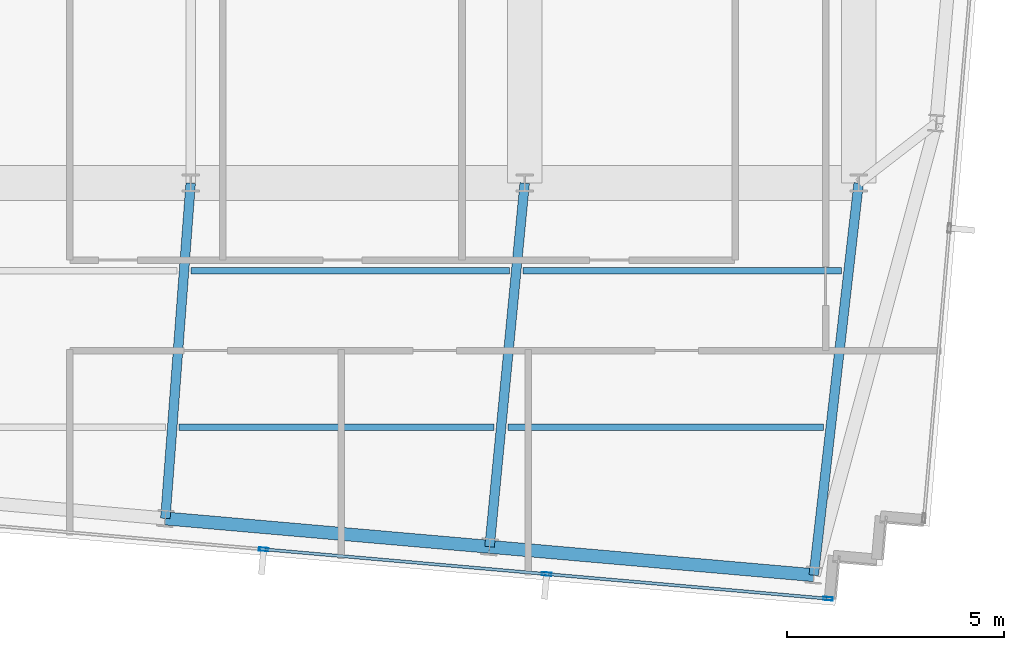
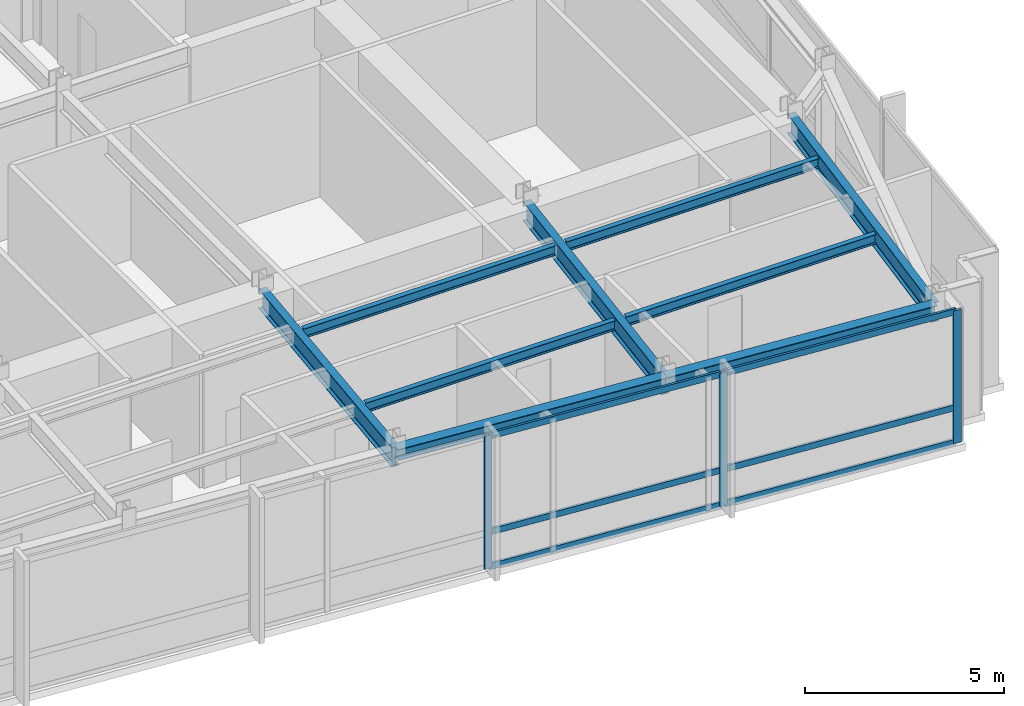
# One storey, part 10 of 25: 9 beams, 9 members, 1 element without a shape of its own.
"""IFC4 building model written with IfcOpenShell, lengths in metres."""

from ifc_helpers import new_model, si_unit, direction, frame, origin, origin_2d, place, context, subcontext, project, spatial, hollow_rectangle, i_section, extrude, material, material_profile, profile_set, type_object, element, aggregate, save


model = new_model("IFC4")

# Units and contexts
model_context = context("Model", 3, precision=1e-05, world=origin(), true_north=direction((0.0, 1.0)))
body_context = subcontext(model_context, "Body", "Model", "MODEL_VIEW")
ifc_project = project(units=[si_unit("LENGTHUNIT", "METRE"), si_unit("AREAUNIT", "SQUARE_METRE"), si_unit("VOLUMEUNIT", "CUBIC_METRE"), si_unit("PLANEANGLEUNIT", "RADIAN"), si_unit("MASSUNIT", "GRAM", prefix="KILO")], contexts=[model_context])

# Site, building, storey
site_placement = place(None, origin())
site = spatial("IfcSite", under=ifc_project, at=site_placement, CompositionType="ELEMENT")
building_placement = place(site_placement, origin())
building = spatial("IfcBuilding", under=site, at=building_placement, Name="Yelkora Congress Tower", CompositionType="ELEMENT")
storey_placement = place(building_placement, frame((0.0, 0.0, 299.89990234375)))
storey = spatial("IfcBuildingStorey", under=building, at=storey_placement, Name="L84", CompositionType="ELEMENT", Elevation=299.89990234375)

# Beams
ifc_material_1 = material(Name="Steel S355J2", Category="steel")
ifc_material_profile_1 = material_profile(ifc_material_1, i_section(OverallWidth=0.219970703125, OverallDepth=0.60009765625, WebThickness=0.011962890625, FlangeThickness=0.01904296875, FilletRadius=0.02392578125, at=origin_2d()), Name="IPE 600")
ifc_profile_set_1 = profile_set([ifc_material_profile_1], Name="Steel S355J2")
beam_type_1 = type_object("IfcBeamType", Name="BM-GIRD-IPE600", PredefinedType="BEAM", material=ifc_profile_set_1)
beam_1_placement = place(storey_placement, frame((37.8173828125, 17.489013671875, 3.780029296875), z_axis=(0.075329932006, 0.997158664077, 0.0), x_axis=(-0.997158664077, 0.075329932006, 0.0)))
element("IfcBeam", 1, at=beam_1_placement, inside=storey, type_object=beam_type_1, Name="L84 Primary Frame Girder S05", PredefinedType="BEAM", context=body_context, shape_type="SweptSolid", body=[
    extrude(i_section(OverallWidth=0.219970703125, OverallDepth=0.60009765625, WebThickness=0.011962890625, FlangeThickness=0.01904296875, FilletRadius=0.02392578125, at=origin_2d()), origin(), (0.0, 0.0, 1.0), 7.73291015625),
])
beam_2_placement = place(storey_placement, frame((45.2724609375, 16.836669921875, 3.780029296875), z_axis=(0.096119896563, 0.995369763196, 0.0), x_axis=(-0.995369763196, 0.096119896563, 0.0)))
element("IfcBeam", 2, at=beam_2_placement, inside=storey, type_object=beam_type_1, Name="L84 Primary Frame Girder S06", PredefinedType="BEAM", context=body_context, shape_type="SweptSolid", body=[
    extrude(i_section(OverallWidth=0.219970703125, OverallDepth=0.60009765625, WebThickness=0.011962890625, FlangeThickness=0.01904296875, FilletRadius=0.02392578125, at=origin_2d()), origin(), (0.0, 0.0, 1.0), 8.402099609375),
])
beam_3_placement = place(storey_placement, frame((52.727294921875, 16.1845703125, 3.780029296875), z_axis=(0.113806093355, 0.993502980929, 0.0), x_axis=(-0.993502980929, 0.113806093355, 0.0)))
element("IfcBeam", 3, at=beam_3_placement, inside=storey, type_object=beam_type_1, Name="L84 Primary Frame Girder S07", PredefinedType="BEAM", context=body_context, shape_type="SweptSolid", body=[
    extrude(i_section(OverallWidth=0.219970703125, OverallDepth=0.60009765625, WebThickness=0.011962890625, FlangeThickness=0.01904296875, FilletRadius=0.02392578125, at=origin_2d()), origin(), (0.0, 0.0, 1.0), 9.07421875),
])
ifc_material_profile_2 = material_profile(ifc_material_1, i_section(OverallWidth=0.14990234375, OverallDepth=0.300048828125, WebThickness=0.007080078125, FlangeThickness=0.0107421875, FilletRadius=0.014892578125, at=origin_2d()), Name="IPE 300")
ifc_profile_set_2 = profile_set([ifc_material_profile_2], Name="Steel S355J2")
beam_type_2 = type_object("IfcBeamType", Name="BM-JOIST-IPE300", PredefinedType="JOIST", material=ifc_profile_set_2)
beam_4_placement = place(storey_placement, frame((38.1357421875, 19.58447265625, 3.93017578125), z_axis=(1.0, 0.0, 0.0), x_axis=(0.0, 1.0, 0.0)))
element("IfcBeam", 4, at=beam_4_placement, inside=storey, type_object=beam_type_2, Name="L84 Composite Floor Joist 3", PredefinedType="JOIST", context=body_context, shape_type="SweptSolid", body=[
    extrude(i_section(OverallWidth=0.14990234375, OverallDepth=0.300048828125, WebThickness=0.007080078125, FlangeThickness=0.0107421875, FilletRadius=0.014892578125, at=origin_2d()), origin(), (0.0, 0.0, 1.0), 7.241943359375),
])
beam_5_placement = place(storey_placement, frame((45.69775390625, 19.58447265625, 3.93017578125), z_axis=(1.0, 0.0, 0.0), x_axis=(0.0, 1.0, 0.0)))
element("IfcBeam", 5, at=beam_5_placement, inside=storey, type_object=beam_type_2, Name="L84 Composite Floor Joist 4", PredefinedType="JOIST", context=body_context, shape_type="SweptSolid", body=[
    extrude(i_section(OverallWidth=0.14990234375, OverallDepth=0.300048828125, WebThickness=0.007080078125, FlangeThickness=0.0107421875, FilletRadius=0.014892578125, at=origin_2d()), origin(), (0.0, 0.0, 1.0), 7.259033203125),
])
beam_6_placement = place(storey_placement, frame((38.40771484375, 23.1845703125, 3.93017578125), z_axis=(1.0, 0.0, 0.0), x_axis=(0.0, 1.0, 0.0)))
element("IfcBeam", 6, at=beam_6_placement, inside=storey, type_object=beam_type_2, Name="L84 Composite Floor Joist 7", PredefinedType="JOIST", context=body_context, shape_type="SweptSolid", body=[
    extrude(i_section(OverallWidth=0.14990234375, OverallDepth=0.300048828125, WebThickness=0.007080078125, FlangeThickness=0.0107421875, FilletRadius=0.014892578125, at=origin_2d()), origin(), (0.0, 0.0, 1.0), 7.317626953125),
])
beam_7_placement = place(storey_placement, frame((46.04541015625, 23.1845703125, 3.93017578125), z_axis=(1.0, 0.0, 0.0), x_axis=(0.0, 1.0, 0.0)))
element("IfcBeam", 7, at=beam_7_placement, inside=storey, type_object=beam_type_2, Name="L84 Composite Floor Joist 8", PredefinedType="JOIST", context=body_context, shape_type="SweptSolid", body=[
    extrude(i_section(OverallWidth=0.14990234375, OverallDepth=0.300048828125, WebThickness=0.007080078125, FlangeThickness=0.0107421875, FilletRadius=0.014892578125, at=origin_2d()), origin(), (0.0, 0.0, 1.0), 7.32373046875),
])
ifc_material_profile_3 = material_profile(ifc_material_1, i_section(OverallWidth=0.300048828125, OverallDepth=0.340087890625, WebThickness=0.011962890625, FlangeThickness=0.021484375, FilletRadius=0.027099609375, at=origin_2d()), Name="HEB 340")
ifc_profile_set_3 = profile_set([ifc_material_profile_3], Name="Steel S355J2")
beam_type_3 = type_object("IfcBeamType", Name="BM-SPAN-HEB340", PredefinedType="SPANDREL", material=ifc_profile_set_3)
beam_8_placement = place(storey_placement, frame((37.8173828125, 17.489013671875, 3.91015625), z_axis=(0.996193434204, -0.08717018785, 0.0), x_axis=(0.08717018785, 0.996193434204, 0.0)))
element("IfcBeam", 8, at=beam_8_placement, inside=storey, type_object=beam_type_3, Name="L84 Perimeter Beam 5", PredefinedType="SPANDREL", context=body_context, shape_type="SweptSolid", body=[
    extrude(i_section(OverallWidth=0.300048828125, OverallDepth=0.340087890625, WebThickness=0.011962890625, FlangeThickness=0.021484375, FilletRadius=0.027099609375, at=origin_2d()), origin(), (0.0, 0.0, 1.0), 7.483642578125),
])
beam_9_placement = place(storey_placement, frame((45.2724609375, 16.836669921875, 3.91015625), z_axis=(0.99619601894, -0.087140644067, 0.0), x_axis=(0.087140644067, 0.99619601894, 0.0)))
element("IfcBeam", 9, at=beam_9_placement, inside=storey, type_object=beam_type_3, Name="L84 Perimeter Beam 6", PredefinedType="SPANDREL", context=body_context, shape_type="SweptSolid", body=[
    extrude(i_section(OverallWidth=0.300048828125, OverallDepth=0.340087890625, WebThickness=0.011962890625, FlangeThickness=0.021484375, FilletRadius=0.027099609375, at=origin_2d()), origin(), (0.0, 0.0, 1.0), 7.4833984375),
])

# Curtain wall, members
ifc_material_2 = material(Name="Anodised aluminium and insulated glass", Category="aluminium")
curtain_wall_type = type_object("IfcCurtainWallType", Name="CW-SYS-SKY", PredefinedType="NOTDEFINED", material=ifc_material_2)
curtain_wall_placement = place(storey_placement, origin())
curtain_wall = element("IfcCurtainWall", 10, at=curtain_wall_placement, inside=storey, type_object=curtain_wall_type, Name="L84 Unitised Curtain Wall 20", PredefinedType="NOTDEFINED")
ifc_material_3 = material(Name="Anodised aluminium 6063-T6", Category="aluminium")
ifc_material_profile_4 = material_profile(ifc_material_3, hollow_rectangle(XDim=0.074951171875, YDim=0.219970703125, WallThickness=0.0048828125, at=origin_2d()), Name="ALU 75x220x5")
ifc_profile_set_4 = profile_set([ifc_material_profile_4], Name="Anodised aluminium 6063-T6")
member_type_1 = type_object("IfcMemberType", Name="MEM-ML-SKY", PredefinedType="MULLION", material=ifc_profile_set_4)
member_1_placement = place(storey_placement, frame((53.0537109375, 15.64404296875, 0.0), z_axis=(0.0, 0.0, 1.0), x_axis=(-0.087156829793, -0.996194602987, 0.0)))
member_1 = element("IfcMember", 11, at=member_1_placement, type_object=member_type_1, Name="CW-SKY mullion 1", PredefinedType="MULLION", context=body_context, shape_type="SweptSolid", body=[
    extrude(hollow_rectangle(XDim=0.074951171875, YDim=0.219970703125, WallThickness=0.0048828125, at=origin_2d()), origin(), (0.0, 0.0, 1.0), 4.080078125),
])
member_2_placement = place(storey_placement, frame((46.58447265625, 16.2099609375, 0.0), z_axis=(0.0, 0.0, 1.0), x_axis=(-0.087156829793, -0.996194602987, 0.0)))
member_2 = element("IfcMember", 12, at=member_2_placement, type_object=member_type_1, Name="CW-SKY mullion 2", PredefinedType="MULLION", context=body_context, shape_type="SweptSolid", body=[
    extrude(hollow_rectangle(XDim=0.074951171875, YDim=0.219970703125, WallThickness=0.0048828125, at=origin_2d()), origin(), (0.0, 0.0, 1.0), 4.080078125),
])
member_3_placement = place(storey_placement, frame((40.077880859375, 16.779296875, 0.0), z_axis=(0.0, 0.0, 1.0), x_axis=(-0.087156829793, -0.996194602987, 0.0)))
member_3 = element("IfcMember", 13, at=member_3_placement, type_object=member_type_1, Name="CW-SKY mullion 3", PredefinedType="MULLION", context=body_context, shape_type="SweptSolid", body=[
    extrude(hollow_rectangle(XDim=0.074951171875, YDim=0.219970703125, WallThickness=0.0048828125, at=origin_2d()), origin(), (0.0, 0.0, 1.0), 4.080078125),
])
ifc_material_profile_5 = material_profile(ifc_material_3, hollow_rectangle(XDim=0.070068359375, YDim=0.18994140625, WallThickness=0.00390625, at=origin_2d()), Name="ALU 70x190x4")
ifc_profile_set_5 = profile_set([ifc_material_profile_5], Name="Anodised aluminium 6063-T6")
member_type_2 = type_object("IfcMemberType", Name="MEM-TR-SKY", PredefinedType="USERDEFINED", material=ifc_profile_set_5)
member_4_placement = place(storey_placement, frame((53.016357421875, 15.647216796875, 0.03515625), z_axis=(-0.996193056925, 0.087174499331, 0.0), x_axis=(-0.087174499331, -0.996193056925, 0.0)))
member_4 = element("IfcMember", 14, at=member_4_placement, type_object=member_type_2, Name="CW-SKY transom 1.1", ObjectType="TRANSOM", PredefinedType="USERDEFINED", context=body_context, shape_type="SweptSolid", body=[
    extrude(hollow_rectangle(XDim=0.070068359375, YDim=0.18994140625, WallThickness=0.00390625, at=origin_2d()), origin(), (0.0, 0.0, 1.0), 6.4189453125),
])
member_5_placement = place(storey_placement, frame((53.016357421875, 15.647216796875, 1.10009765625), z_axis=(-0.996193056925, 0.087174499331, 0.0), x_axis=(-0.087174499331, -0.996193056925, 0.0)))
member_5 = element("IfcMember", 15, at=member_5_placement, type_object=member_type_2, Name="CW-SKY transom 1.2", ObjectType="TRANSOM", PredefinedType="USERDEFINED", context=body_context, shape_type="SweptSolid", body=[
    extrude(hollow_rectangle(XDim=0.070068359375, YDim=0.18994140625, WallThickness=0.00390625, at=origin_2d()), origin(), (0.0, 0.0, 1.0), 6.4189453125),
])
member_6_placement = place(storey_placement, frame((53.016357421875, 15.647216796875, 4.045166015625), z_axis=(-0.996193056925, 0.087174499331, 0.0), x_axis=(-0.087174499331, -0.996193056925, 0.0)))
member_6 = element("IfcMember", 16, at=member_6_placement, type_object=member_type_2, Name="CW-SKY transom 1.3", ObjectType="TRANSOM", PredefinedType="USERDEFINED", context=body_context, shape_type="SweptSolid", body=[
    extrude(hollow_rectangle(XDim=0.070068359375, YDim=0.18994140625, WallThickness=0.00390625, at=origin_2d()), origin(), (0.0, 0.0, 1.0), 6.4189453125),
])
member_7_placement = place(storey_placement, frame((46.547119140625, 16.213134765625, 0.03515625), z_axis=(-0.996194333134, 0.087159914135, 0.0), x_axis=(-0.087159914135, -0.996194333134, 0.0)))
member_7 = element("IfcMember", 17, at=member_7_placement, type_object=member_type_2, Name="CW-SKY transom 2.1", ObjectType="TRANSOM", PredefinedType="USERDEFINED", context=body_context, shape_type="SweptSolid", body=[
    extrude(hollow_rectangle(XDim=0.070068359375, YDim=0.18994140625, WallThickness=0.00390625, at=origin_2d()), origin(), (0.0, 0.0, 1.0), 6.45654296875),
])
member_8_placement = place(storey_placement, frame((46.547119140625, 16.213134765625, 1.10009765625), z_axis=(-0.996194333134, 0.087159914135, 0.0), x_axis=(-0.087159914135, -0.996194333134, 0.0)))
member_8 = element("IfcMember", 18, at=member_8_placement, type_object=member_type_2, Name="CW-SKY transom 2.2", ObjectType="TRANSOM", PredefinedType="USERDEFINED", context=body_context, shape_type="SweptSolid", body=[
    extrude(hollow_rectangle(XDim=0.070068359375, YDim=0.18994140625, WallThickness=0.00390625, at=origin_2d()), origin(), (0.0, 0.0, 1.0), 6.45654296875),
])
member_9_placement = place(storey_placement, frame((46.547119140625, 16.213134765625, 4.045166015625), z_axis=(-0.996194333134, 0.087159914135, 0.0), x_axis=(-0.087159914135, -0.996194333134, 0.0)))
member_9 = element("IfcMember", 19, at=member_9_placement, type_object=member_type_2, Name="CW-SKY transom 2.3", ObjectType="TRANSOM", PredefinedType="USERDEFINED", context=body_context, shape_type="SweptSolid", body=[
    extrude(hollow_rectangle(XDim=0.070068359375, YDim=0.18994140625, WallThickness=0.00390625, at=origin_2d()), origin(), (0.0, 0.0, 1.0), 6.45654296875),
])
aggregate(curtain_wall, [member_1, member_2, member_3, member_4, member_5, member_6, member_7, member_8, member_9])

save(model, "model.ifc")
